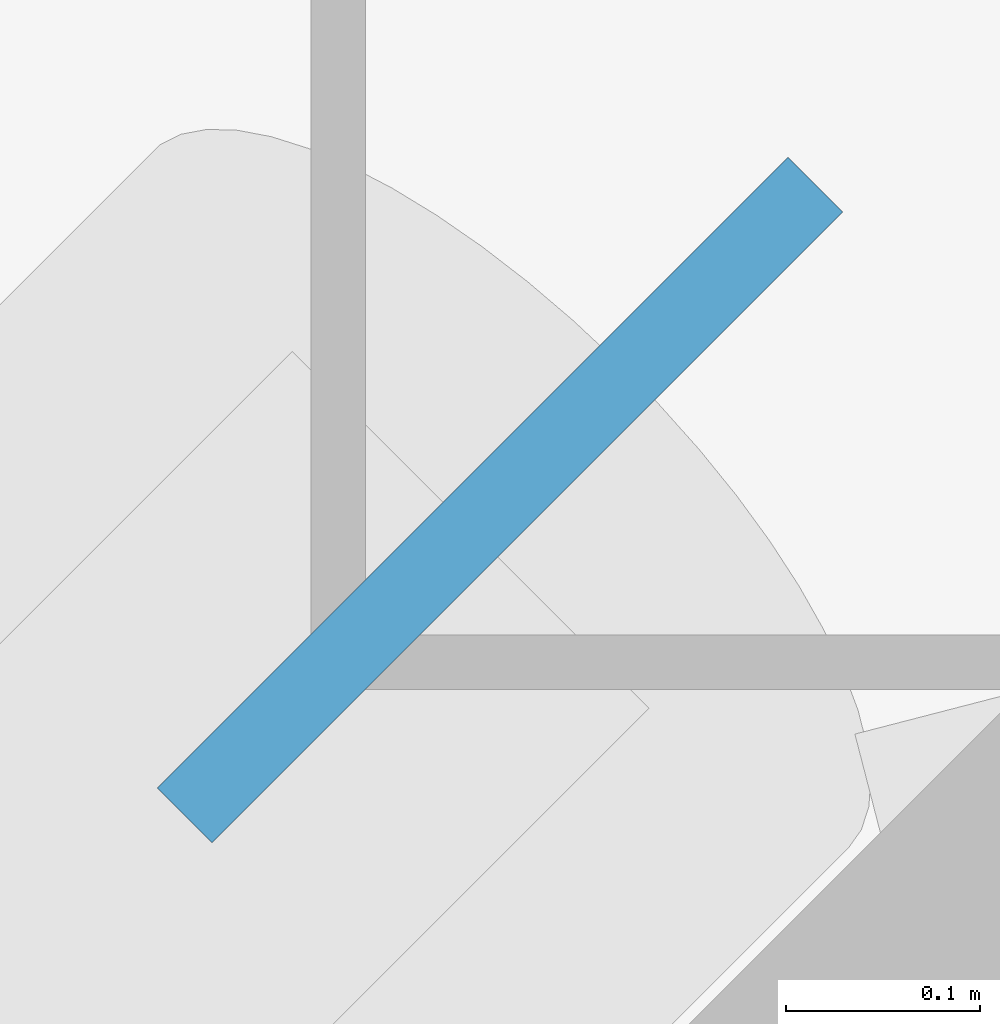
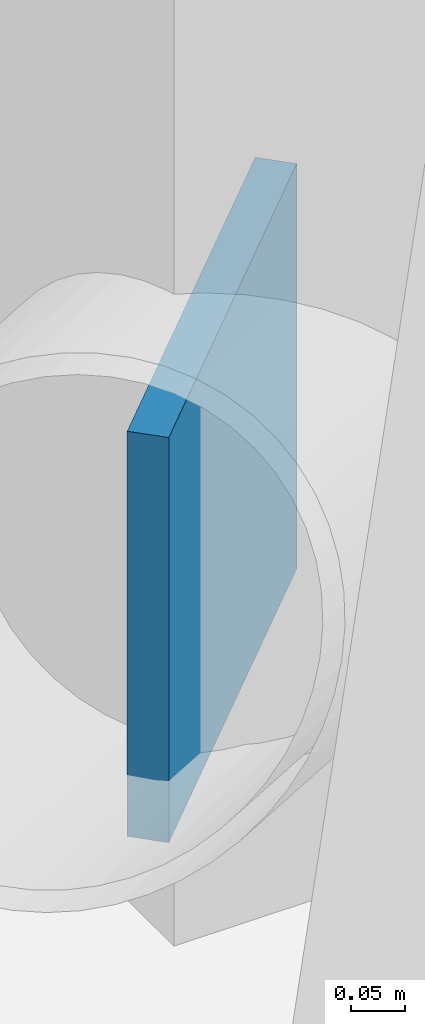
# One storey, part 16 of 18: 1 discrete accessory.
"""IFC4 building model written with IfcOpenShell, lengths in metres."""

from ifc_helpers import new_model, si_unit, direction, frame, origin, origin_2d, place, context, subcontext, project, spatial, rectangle, extrude, material, type_object, element, save


model = new_model("IFC4")

# Units and contexts
model_context = context("Model", 3, precision=1e-05, world=origin(), true_north=direction((0.0, 1.0)))
body_context = subcontext(model_context, "Body", "Model", "MODEL_VIEW")
ifc_project = project(units=[si_unit("LENGTHUNIT", "METRE"), si_unit("AREAUNIT", "SQUARE_METRE"), si_unit("VOLUMEUNIT", "CUBIC_METRE"), si_unit("PLANEANGLEUNIT", "RADIAN"), si_unit("MASSUNIT", "GRAM", prefix="KILO")], contexts=[model_context])

# Site, building, storey
site_placement = place(None, origin())
site = spatial("IfcSite", under=ifc_project, at=site_placement, CompositionType="ELEMENT")
building_placement = place(site_placement, origin())
building = spatial("IfcBuilding", under=site, at=building_placement, Name="Tavrogorsk Clinical Tower", CompositionType="ELEMENT")
storey_placement = place(building_placement, frame((0.0, 0.0, 192.199951171875)))
storey = spatial("IfcBuildingStorey", under=building, at=storey_placement, Name="L44", CompositionType="ELEMENT", Elevation=192.199951171875)

# Discrete accessory
ifc_material = material(Name="Structural steel S440", Category="steel")
discrete_accessory_type = type_object("IfcDiscreteAccessoryType", Name="GussetPlateBracket_25", PredefinedType="BRACKET", material=ifc_material)
discrete_accessory_placement = place(storey_placement, frame((-28.12255859375, 26.217529296875, 0.18310546875), z_axis=(0.0, 0.0, 1.0), x_axis=(-0.707106781187, -0.707106781187, 0.0)))
element("IfcDiscreteAccessory", 1, at=discrete_accessory_placement, inside=storey, type_object=discrete_accessory_type, Name="L44 Brace Gusset Plate EXOCRN-L44-3-A", PredefinedType="BRACKET", context=body_context, shape_type="SweptSolid", body=[
    extrude(rectangle(XDim=0.4599609375, YDim=0.0400390625, at=origin_2d()), origin(), (0.0, 0.0, 1.0), 0.4599609375),
])

save(model, "model.ifc")
